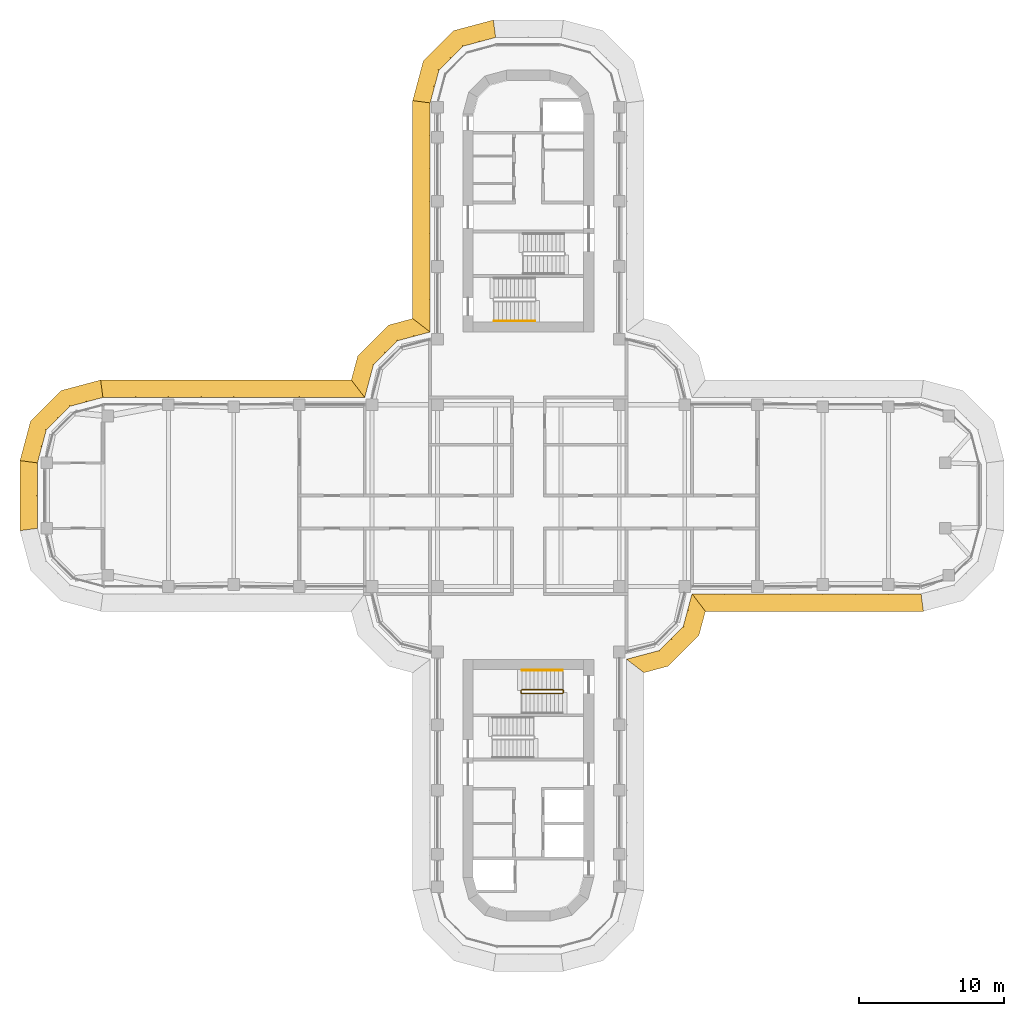
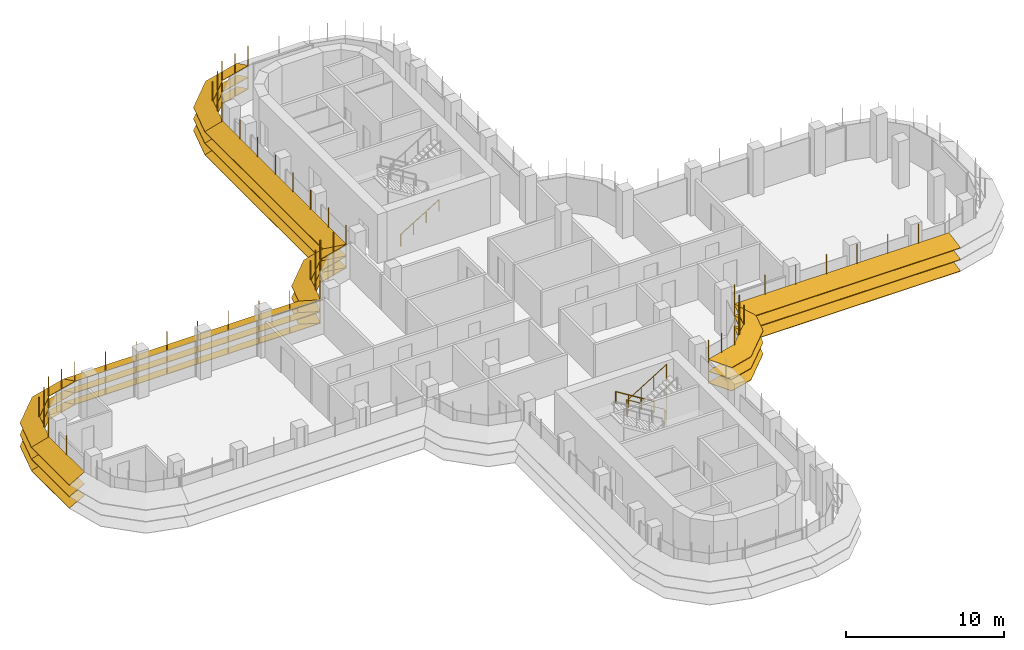
# One storey, part 17 of 19: 8 shading devices, 3 railings.
"""IFC4 building model written with IfcOpenShell, lengths in metres."""

import ifcopenshell
import ifcopenshell.guid

model = None  # the IFC model being written
_history = None  # IfcOwnerHistory: only IFC2X3 demands one
_inside = {}  # id of a spatial element -> (the spatial element, [elements in it])
_under = {}  # id of a project, library or spatial element -> (it, [spatial elements below it])
_declared = {}  # id of a project -> (the project, [libraries it declares])
_typed = {}  # id of a type object -> (the type object, [elements of that type])
_made_of = {}  # id of a material, layer set ... -> (it, [elements and type objects made of it])


def new_model(schema):
    """Start an empty IFC model of exactly this schema.

    Asked for "IFC4X3", IfcOpenShell would pick the latest addendum, in which some entities
    have other attributes; the version numbers below select the first issue.
    IFC2X3 requires an IfcOwnerHistory on every rooted entity: one is made here for all.
    """
    global model, _history
    if schema == "IFC4X3":
        model = ifcopenshell.file(schema_version=(4, 3, 0, 0))
    else:
        model = ifcopenshell.file(schema=schema)
    _inside.clear()
    _under.clear()
    _declared.clear()
    _typed.clear()
    _made_of.clear()
    _history = None
    if model.schema == "IFC2X3":
        org = make("IfcOrganization", Name="unknown")
        user = make(
            "IfcPersonAndOrganization",
            ThePerson=make("IfcPerson", FamilyName="unknown"),
            TheOrganization=org,
        )
        app = make(
            "IfcApplication",
            ApplicationDeveloper=org,
            Version="unknown",
            ApplicationFullName="unknown",
            ApplicationIdentifier="unknown",
        )
        _history = make(
            "IfcOwnerHistory",
            OwningUser=user,
            OwningApplication=app,
            ChangeAction="ADDED",
            CreationDate=0,
        )
    return model


def make(cls, **values):
    """One entity of the class cls with the attributes given. An attribute that is None is left unset."""
    return model.create_entity(
        cls, **{name: value for name, value in values.items() if value is not None}
    )


def rooted(cls, **values):
    """An entity with a GlobalId (a new one), such as an element, a storey or a relation."""
    return make(cls, GlobalId=ifcopenshell.guid.new(), OwnerHistory=_history, **values)


def si_unit(unit_type, name, prefix=None):
    """IfcSIUnit, for example si_unit("LENGTHUNIT", "METRE", prefix="MILLI")."""
    return make("IfcSIUnit", UnitType=unit_type, Prefix=prefix, Name=name)


def assignment(units):
    """IfcUnitAssignment: the units of a project."""
    return None if units is None else make("IfcUnitAssignment", Units=units)


def point(xyz):
    """IfcCartesianPoint."""
    return None if xyz is None else make("IfcCartesianPoint", Coordinates=xyz)


def direction(xyz):
    """IfcDirection."""
    return None if xyz is None else make("IfcDirection", DirectionRatios=xyz)


def frame(location, z_axis=None, x_axis=None):
    """IfcAxis2Placement3D, a coordinate frame: its origin and axes. An axis left out is left unset."""
    return make(
        "IfcAxis2Placement3D",
        Location=point(location),
        Axis=direction(z_axis),
        RefDirection=direction(x_axis),
    )


def frame_2d(location, x_axis=None):
    """IfcAxis2Placement2D, a coordinate frame in the plane: its origin and x axis."""
    return make(
        "IfcAxis2Placement2D", Location=point(location), RefDirection=direction(x_axis)
    )


def origin():
    """The frame at (0, 0, 0) with its axes left unset."""
    return frame((0.0, 0.0, 0.0))


def origin_2d():
    """The frame at (0, 0) in the plane with its x axis left unset."""
    return frame_2d((0.0, 0.0))


def place(relative_to, where):
    """IfcLocalPlacement: puts the frame where relative to a parent placement (None: the world)."""
    return make(
        "IfcLocalPlacement", PlacementRelTo=relative_to, RelativePlacement=where
    )


def context(
    kind, dimensions, precision=None, world=None, true_north=None, identifier=None
):
    """IfcGeometricRepresentationContext, for example the 3D "Model" context."""
    return make(
        "IfcGeometricRepresentationContext",
        ContextIdentifier=identifier,
        ContextType=kind,
        CoordinateSpaceDimension=dimensions,
        Precision=precision,
        WorldCoordinateSystem=world,
        TrueNorth=true_north,
    )


def subcontext(parent, identifier, kind, view, scale=None):
    """IfcGeometricRepresentationSubContext, for example "Body" below "Model"."""
    return make(
        "IfcGeometricRepresentationSubContext",
        ContextIdentifier=identifier,
        ContextType=kind,
        ParentContext=parent,
        TargetScale=scale,
        TargetView=view,
    )


def project(units=None, contexts=None):
    """IfcProject with its units and contexts."""
    return rooted(
        "IfcProject",
        Name="project",
        RepresentationContexts=contexts,
        UnitsInContext=assignment(units),
    )


def spatial(cls, under=None, at=None, **own):
    """A site, building, storey or space (cls), placed at a placement, below another one or the project."""
    s = rooted(cls, ObjectPlacement=at, **own)
    if under is not None:
        _under.setdefault(under.id(), (under, []))[1].append(s)
    return s


def polyline(points):
    """IfcPolyline through the points."""
    return make("IfcPolyline", Points=[point(p) for p in points])


def profile(cls, at=None, kind="AREA", **sizes):
    """A parametric profile (cls). Its sizes go by their IFC names, for example OverallWidth=200.0."""
    return make(cls, ProfileType=kind, Position=at, **sizes)


def circle(**sizes):
    """IfcCircleProfileDef."""
    return profile("IfcCircleProfileDef", **sizes)


def outline(outer, holes=None, kind="AREA"):
    """IfcArbitraryClosedProfileDef: a profile drawn as a closed curve; with holes, ...WithVoids."""
    if holes is None:
        return make("IfcArbitraryClosedProfileDef", ProfileType=kind, OuterCurve=outer)
    return make(
        "IfcArbitraryProfileDefWithVoids",
        ProfileType=kind,
        OuterCurve=outer,
        InnerCurves=holes,
    )


def extrude(swept, where, along, depth):
    """IfcExtrudedAreaSolid: the profile swept, set in the frame where, extruded along a direction by depth."""
    return make(
        "IfcExtrudedAreaSolid",
        SweptArea=swept,
        Position=where,
        ExtrudedDirection=direction(along),
        Depth=depth,
    )


def faces_of(points, faces, orient=None, outer=None):
    """IfcFace entities. A face is a list of loops; a loop is a list of indices into points, from 0.

    orient and outer hold one flag for each loop. By default every Orientation is true, the
    first loop of a face is its IfcFaceOuterBound and the others are IfcFaceBound.
    """
    made = []
    for i, loops in enumerate(faces):
        bounds = []
        for j, loop in enumerate(loops):
            is_outer = j == 0 if outer is None else outer[i][j]
            bounds.append(
                make(
                    "IfcFaceOuterBound" if is_outer else "IfcFaceBound",
                    Bound=make("IfcPolyLoop", Polygon=[points[k] for k in loop]),
                    Orientation=True if orient is None else orient[i][j],
                )
            )
        made.append(make("IfcFace", Bounds=bounds))
    return made


def faceted_brep(points, faces, orient=None, outer=None, voids=None):
    """IfcFacetedBrep: a solid bounded by flat faces; with voids (closed shells), ...WithVoids."""
    shared = [point(p) for p in points]
    hull = make("IfcClosedShell", CfsFaces=faces_of(shared, faces, orient, outer))
    if voids is None:
        return make("IfcFacetedBrep", Outer=hull)
    return make(
        "IfcFacetedBrepWithVoids",
        Outer=hull,
        Voids=[
            make(cls, CfsFaces=faces_of(shared, fs, o, b)) for cls, fs, o, b in voids
        ],
    )


def shape(context_of_items, identifier, shape_type, items):
    """IfcShapeRepresentation: the items that make up one representation, for example the "Body"."""
    return make(
        "IfcShapeRepresentation",
        ContextOfItems=context_of_items,
        RepresentationIdentifier=identifier,
        RepresentationType=shape_type,
        Items=items,
    )


def source(mapping_origin, context_of_items, identifier, shape_type, items):
    """IfcRepresentationMap: a shape defined once, which mapped items show again and again."""
    return make(
        "IfcRepresentationMap",
        MappingOrigin=mapping_origin,
        MappedRepresentation=shape(context_of_items, identifier, shape_type, items),
    )


def transform(
    local_origin,
    x_axis=None,
    y_axis=None,
    z_axis=None,
    scale=None,
    scale2=None,
    scale3=None,
    uniform=True,
):
    """IfcCartesianTransformationOperator3D, or its non-uniform kind. x_axis, y_axis, z_axis: its Axis1, 2, 3."""
    if uniform:
        return make(
            "IfcCartesianTransformationOperator3D",
            Axis1=direction(x_axis),
            Axis2=direction(y_axis),
            LocalOrigin=point(local_origin),
            Scale=scale,
            Axis3=direction(z_axis),
        )
    return make(
        "IfcCartesianTransformationOperator3DnonUniform",
        Axis1=direction(x_axis),
        Axis2=direction(y_axis),
        LocalOrigin=point(local_origin),
        Scale=scale,
        Axis3=direction(z_axis),
        Scale2=scale2,
        Scale3=scale3,
    )


def mapped(mapping_source, mapping_target):
    """IfcMappedItem: shows the shape of a source again, moved by a transform."""
    return make(
        "IfcMappedItem", MappingSource=mapping_source, MappingTarget=mapping_target
    )


def material(Name=None, Category=None):
    """IfcMaterial."""
    return make("IfcMaterial", Name=Name, Category=Category)


def made_of(thing, what):
    """Note that an element or type object is made of a material, layer set ...; save() writes the relation."""
    if what is not None:
        _made_of.setdefault(what.id(), (what, []))[1].append(thing)
    return thing


def type_object(cls, material=None, **own):
    """A type object (cls), such as IfcWallType, which elements share."""
    return made_of(rooted(cls, **own), material)


def element(
    cls,
    number,
    at=None,
    inside=None,
    cuts=None,
    type_object=None,
    material=None,
    context=None,
    identifier="Body",
    shape_type=None,
    held_by="IfcProductDefinitionShape",
    body=None,
    shapes=None,
    **own,
):
    """One element of the class cls, such as IfcWall. Its Tag is "e" and its number.

    at: its placement. inside: the storey or other place that contains it. cuts: it is an
    opening in that element (IfcRelVoidsElement). A single representation is given by context,
    identifier, shape_type and body (its items); several are given by shapes. held_by: the class
    of the entity that holds the representations. save() writes the other relations.
    """
    e = rooted(cls, Tag="e%d" % number, ObjectPlacement=at, **own)
    if body is not None:
        shapes = [shape(context, identifier, shape_type, body)]
    if shapes is not None:
        e.Representation = make(held_by, Representations=shapes)
    if inside is not None:
        _inside.setdefault(inside.id(), (inside, []))[1].append(e)
    if cuts is not None:
        rooted(
            "IfcRelVoidsElement", RelatingBuildingElement=cuts, RelatedOpeningElement=e
        )
    if type_object is not None:
        _typed.setdefault(type_object.id(), (type_object, []))[1].append(e)
    return made_of(e, material)


def aggregate(whole, parts):
    """IfcRelAggregates: a whole, such as a stair, and the parts it consists of."""
    return rooted("IfcRelAggregates", RelatingObject=whole, RelatedObjects=parts)


def save(model, path):
    """Write the relations noted so far, then the file.

    IfcRelAggregates (storeys below a building ...), IfcRelContainedInSpatialStructure (elements
    in a storey), IfcRelDefinesByType, IfcRelAssociatesMaterial and IfcRelDeclares: one each for
    every whole, place, type object, material and project.
    """
    for whole, parts in _under.values():
        aggregate(whole, parts)
    for where, things in _inside.values():
        rooted(
            "IfcRelContainedInSpatialStructure",
            RelatedElements=things,
            RelatingStructure=where,
        )
    for kind, things in _typed.values():
        rooted("IfcRelDefinesByType", RelatedObjects=things, RelatingType=kind)
    for what, things in _made_of.values():
        rooted("IfcRelAssociatesMaterial", RelatedObjects=things, RelatingMaterial=what)
    for by, libraries in _declared.values():
        rooted("IfcRelDeclares", RelatingContext=by, RelatedDefinitions=libraries)
    model.write(path)


model = new_model("IFC4")

# Units and contexts
model_context = context("Model", 3, precision=1e-05, world=origin(), true_north=direction((0.0, 1.0)))
body_context = subcontext(model_context, "Body", "Model", "MODEL_VIEW")
ifc_project = project(units=[si_unit("LENGTHUNIT", "METRE"), si_unit("AREAUNIT", "SQUARE_METRE"), si_unit("VOLUMEUNIT", "CUBIC_METRE"), si_unit("PLANEANGLEUNIT", "RADIAN"), si_unit("MASSUNIT", "GRAM", prefix="KILO")], contexts=[model_context])

# Site, building, storey
site_placement = place(None, origin())
site = spatial("IfcSite", under=ifc_project, at=site_placement, CompositionType="ELEMENT")
building_placement = place(site_placement, origin())
building = spatial("IfcBuilding", under=site, at=building_placement, Name="Zarbagh Exchange Tower", CompositionType="ELEMENT")
storey_placement = place(building_placement, frame((0.0, 0.0, 160.0)))
storey = spatial("IfcBuildingStorey", under=building, at=storey_placement, Name="L38", CompositionType="ELEMENT", Elevation=160.0)

# Railings
ifc_material_1 = material(Name="Stainless steel", Category="steel")
railing_type_1 = type_object("IfcRailingType", Name="Stair guard 1100 mm", PredefinedType="GUARDRAIL", material=ifc_material_1)
railing_1_placement = place(storey_placement, frame((-0.5, -13.39990234375, 1.89990234375)))
element("IfcRailing", 1, at=railing_1_placement, inside=storey, type_object=railing_type_1, Name="ST4 stair guard 1", PredefinedType="GUARDRAIL", context=body_context, shape_type="SweptSolid", body=[
    extrude(circle(Radius=0.02392578125, at=origin_2d()), frame((0.0, 0.0, 1.076171875), z_axis=(0.0, -1.0, 0.0), x_axis=(1.0, 0.0, 0.0)), (0.0, 0.0, 1.0), 0.150146484375),
    extrude(circle(Radius=0.02392578125, at=origin_2d()), frame((0.0, -0.150146484375, 1.076171875), z_axis=(0.267953482034, -0.267953482034, 0.925419830635), x_axis=(0.707106781187, 0.707106781187, 0.0)), (0.0, 0.0, 1.0), 0.186767578125),
    extrude(circle(Radius=0.02392578125, at=origin_2d()), frame((0.050048828125, -0.2001953125, 1.2490234375), z_axis=(0.851089632645, 0.0, 0.525020415988), x_axis=(0.0, 1.0, 0.0)), (0.0, 0.0, 1.0), 3.2900390625),
    extrude(circle(Radius=0.02392578125, at=origin_2d()), frame((2.85009765625, -0.2001953125, 2.97607421875), z_axis=(0.013104066473, 0.013168302093, -0.99982742474), x_axis=(-0.708833529934, 0.705375805398, 0.0)), (0.0, 0.0, 1.0), 3.80078125),
    extrude(circle(Radius=0.02392578125, at=origin_2d()), frame((2.89990234375, -0.150146484375, -0.82373046875), z_axis=(0.0, 1.0, 0.0), x_axis=(-1.0, 0.0, 0.0)), (0.0, 0.0, 1.0), 0.150146484375),
    extrude(circle(Radius=0.02392578125, at=origin_2d()), frame((2.89990234375, 0.0, -0.82373046875), z_axis=(-0.26715648603, 0.26715648603, 0.925880566782), x_axis=(-0.707106781187, -0.707106781187, 0.0)), (0.0, 0.0, 1.0), 0.1865234375),
    extrude(circle(Radius=0.02392578125, at=origin_2d()), frame((2.85009765625, 0.0498046875, -0.6513671875), z_axis=(-0.851089632645, 0.0, 0.525020415988), x_axis=(0.0, -1.0, 0.0)), (0.0, 0.0, 1.0), 3.2900390625),
    extrude(circle(Radius=0.02099609375, at=origin_2d()), origin(), (0.0, 0.0, 1.0), 1.052001953125),
    extrude(circle(Radius=0.02099609375, at=origin_2d()), frame((0.0, -0.150146484375, 0.0)), (0.0, 0.0, 1.0), 1.052001953125),
    extrude(circle(Radius=0.02099609375, at=origin_2d()), frame((0.050048828125, -0.2001953125, 0.1728515625)), (0.0, 0.0, 1.0), 1.052001953125),
    extrude(circle(Radius=0.02099609375, at=origin_2d()), frame((0.9833984375, -0.2001953125, 0.74853515625)), (0.0, 0.0, 1.0), 1.052001953125),
    extrude(circle(Radius=0.02099609375, at=origin_2d()), frame((1.916748046875, -0.2001953125, 1.324462890625)), (0.0, 0.0, 1.0), 1.052001953125),
    extrude(circle(Radius=0.02099609375, at=origin_2d()), frame((2.85009765625, -0.2001953125, 1.900146484375)), (0.0, 0.0, 1.0), 1.052001953125),
    extrude(circle(Radius=0.02099609375, at=origin_2d()), frame((2.862548828125, -0.187744140625, 0.9501953125)), (0.0, 0.0, 1.0), 1.052001953125),
    extrude(circle(Radius=0.02099609375, at=origin_2d()), frame((2.875, -0.17529296875, 0.0)), (0.0, 0.0, 1.0), 1.052001953125),
    extrude(circle(Radius=0.02099609375, at=origin_2d()), frame((2.887451171875, -0.16259765625, -0.949951171875)), (0.0, 0.0, 1.0), 1.052001953125),
    extrude(circle(Radius=0.02099609375, at=origin_2d()), frame((2.89990234375, -0.150146484375, -1.89990234375)), (0.0, 0.0, 1.0), 1.052001953125),
    extrude(circle(Radius=0.02099609375, at=origin_2d()), frame((2.89990234375, 0.0, -1.89990234375)), (0.0, 0.0, 1.0), 1.052001953125),
    extrude(circle(Radius=0.02099609375, at=origin_2d()), frame((2.85009765625, 0.0498046875, -1.727294921875)), (0.0, 0.0, 1.0), 1.052001953125),
    extrude(circle(Radius=0.02099609375, at=origin_2d()), frame((1.916748046875, 0.0498046875, -1.151611328125)), (0.0, 0.0, 1.0), 1.052001953125),
    extrude(circle(Radius=0.02099609375, at=origin_2d()), frame((0.9833984375, 0.0498046875, -0.57568359375)), (0.0, 0.0, 1.0), 1.052001953125),
    extrude(circle(Radius=0.02099609375, at=origin_2d()), frame((0.050048828125, 0.0498046875, 0.0)), (0.0, 0.0, 1.0), 1.052001953125),
])
railing_type_2 = type_object("IfcRailingType", Name="Stair handrail 900 mm", PredefinedType="HANDRAIL", material=ifc_material_1)
railing_2_placement = place(storey_placement, frame((-2.35009765625, 12.0, 0.172607421875)))
element("IfcRailing", 2, at=railing_2_placement, inside=storey, type_object=railing_type_2, Name="ST2 stair handrail 1", PredefinedType="HANDRAIL", context=body_context, shape_type="SweptSolid", body=[
    extrude(circle(Radius=0.02392578125, at=origin_2d()), frame((0.0, 0.0, 0.8759765625), z_axis=(0.851089632645, 0.0, 0.525020415988), x_axis=(0.0, 1.0, 0.0)), (0.0, 0.0, 1.0), 3.2900390625),
    extrude(circle(Radius=0.02099609375, at=origin_2d()), origin(), (0.0, 0.0, 1.0), 0.851806640625),
    extrude(circle(Radius=0.02099609375, at=origin_2d()), frame((0.933349609375, 0.0, 0.57568359375)), (0.0, 0.0, 1.0), 0.851806640625),
    extrude(circle(Radius=0.02099609375, at=origin_2d()), frame((1.86669921875, 0.0, 1.151611328125)), (0.0, 0.0, 1.0), 0.851806640625),
    extrude(circle(Radius=0.02099609375, at=origin_2d()), frame((2.800048828125, 0.0, 1.727294921875)), (0.0, 0.0, 1.0), 0.851806640625),
])
railing_3_placement = place(storey_placement, frame((2.35009765625, -12.0, 0.172607421875)))
element("IfcRailing", 3, at=railing_3_placement, inside=storey, type_object=railing_type_2, Name="ST4 stair handrail 1", PredefinedType="HANDRAIL", context=body_context, shape_type="SweptSolid", body=[
    extrude(circle(Radius=0.02392578125, at=origin_2d()), frame((0.0, 0.0, 0.8759765625), z_axis=(-0.851089632645, 0.0, 0.525020415988), x_axis=(0.0, -1.0, 0.0)), (0.0, 0.0, 1.0), 3.2900390625),
    extrude(circle(Radius=0.02099609375, at=origin_2d()), origin(), (0.0, 0.0, 1.0), 0.851806640625),
    extrude(circle(Radius=0.02099609375, at=origin_2d()), frame((-0.933349609375, 0.0, 0.57568359375)), (0.0, 0.0, 1.0), 0.851806640625),
    extrude(circle(Radius=0.02099609375, at=origin_2d()), frame((-1.86669921875, 0.0, 1.151611328125)), (0.0, 0.0, 1.0), 0.851806640625),
    extrude(circle(Radius=0.02099609375, at=origin_2d()), frame((-2.800048828125, 0.0, 1.727294921875)), (0.0, 0.0, 1.0), 0.851806640625),
])

# Shading devices
ifc_material_2 = material(Name="Anodised aluminium blades and brackets", Category="aluminium")
shading_device_type = type_object("IfcShadingDeviceType", Name="SUNSHADE louvre band, 22.5 degree blades", PredefinedType="JALOUSIE", material=ifc_material_2)
shared_shape_1 = source(origin(), body_context, "Body", "Brep", [
    faceted_brep([(0.0, 0.0, 0.0), (0.0, 0.0, -0.043212890625), (-0.157958984375, -1.199951171875, -0.540283203125), (-0.157958984375, -1.199951171875, -0.4970703125), (2.65087890625, -1.199951171875, -0.4970703125), (2.65087890625, -1.199951171875, -0.540283203125), (2.329345703125, 0.0, -0.043212890625), (2.329345703125, 0.0, 0.0)], [[[0, 1, 2, 3]], [[4, 5, 6, 7]], [[0, 7, 6, 1]], [[1, 6, 5, 2]], [[2, 5, 4, 3]], [[3, 4, 7, 0]]]),
])
shared_shape_2 = source(origin(), body_context, "Body", "Brep", [
    faceted_brep([(0.0, 0.0, 0.0), (0.0, 0.0, -0.043212890625), (-0.321533203125, -1.199951171875, -0.540283203125), (-0.321533203125, -1.199951171875, -0.4970703125), (2.65087890625, -1.199951171875, -0.4970703125), (2.65087890625, -1.199951171875, -0.540283203125), (2.329345703125, 0.0, -0.043212890625), (2.329345703125, 0.0, 0.0)], [[[0, 1, 2, 3]], [[4, 5, 6, 7]], [[0, 7, 6, 1]], [[1, 6, 5, 2]], [[2, 5, 4, 3]], [[3, 4, 7, 0]]]),
])
shared_shape_3 = source(origin(), body_context, "Body", "Brep", [
    faceted_brep([(0.0, 0.0, 0.0), (0.0, 0.0, -0.043212890625), (-0.321533203125, -1.199951171875, -0.540283203125), (-0.321533203125, -1.199951171875, -0.4970703125), (2.4873046875, -1.199951171875, -0.4970703125), (2.4873046875, -1.199951171875, -0.540283203125), (2.329345703125, 0.0, -0.043212890625), (2.329345703125, 0.0, 0.0)], [[[0, 1, 2, 3]], [[4, 5, 6, 7]], [[0, 7, 6, 1]], [[1, 6, 5, 2]], [[2, 5, 4, 3]], [[3, 4, 7, 0]]]),
])
shared_shape_4 = source(origin(), body_context, "Body", "SweptSolid", [
    extrude(outline(polyline([(0.0, -0.012451171875), (0.06005859375, -0.012451171875), (0.06005859375, 0.012451171875), (0.0, 0.012451171875), (0.0, -0.012451171875)])), origin(), (0.0, 0.0, 1.0), 3.353271484375),
])
placement = place(storey_placement, origin())
element("IfcShadingDevice", 4, at=placement, inside=storey, type_object=shading_device_type, Name="SS28 sunshade band", PredefinedType="JALOUSIE", context=body_context, shape_type="MappedRepresentation", body=[
    mapped(shared_shape_1, transform((-2.25, 31.5, 2.300048828125), x_axis=(-0.965924289636, -0.258824779902, 0.0), y_axis=(0.258824779902, -0.965924289636, 0.0), z_axis=(0.0, 0.0, 1.0))),
    mapped(shared_shape_1, transform((-2.25, 31.5, 1.39990234375), x_axis=(-0.965924289636, -0.258824779902, 0.0), y_axis=(0.258824779902, -0.965924289636, 0.0), z_axis=(0.0, 0.0, 1.0))),
    mapped(shared_shape_1, transform((-2.25, 31.5, 0.5), x_axis=(-0.965924289636, -0.258824779902, 0.0), y_axis=(0.258824779902, -0.965924289636, 0.0), z_axis=(0.0, 0.0, 1.0))),
    mapped(shared_shape_2, transform((-4.5, 30.897216796875, 2.300048828125), x_axis=(-0.707106781187, -0.707106781187, 0.0), y_axis=(0.707106781187, -0.707106781187, 0.0), z_axis=(0.0, 0.0, 1.0))),
    mapped(shared_shape_2, transform((-4.5, 30.897216796875, 1.39990234375), x_axis=(-0.707106781187, -0.707106781187, 0.0), y_axis=(0.707106781187, -0.707106781187, 0.0), z_axis=(0.0, 0.0, 1.0))),
    mapped(shared_shape_2, transform((-4.5, 30.897216796875, 0.5), x_axis=(-0.707106781187, -0.707106781187, 0.0), y_axis=(0.707106781187, -0.707106781187, 0.0), z_axis=(0.0, 0.0, 1.0))),
    mapped(shared_shape_3, transform((-6.147216796875, 29.25, 2.300048828125), x_axis=(-0.258824779902, -0.965924289636, 0.0), y_axis=(0.965924289636, -0.258824779902, 0.0), z_axis=(0.0, 0.0, 1.0))),
    mapped(shared_shape_3, transform((-6.147216796875, 29.25, 1.39990234375), x_axis=(-0.258824779902, -0.965924289636, 0.0), y_axis=(0.965924289636, -0.258824779902, 0.0), z_axis=(0.0, 0.0, 1.0))),
    mapped(shared_shape_3, transform((-6.147216796875, 29.25, 0.5), x_axis=(-0.258824779902, -0.965924289636, 0.0), y_axis=(0.965924289636, -0.258824779902, 0.0), z_axis=(0.0, 0.0, 1.0))),
    mapped(shared_shape_4, transform((-2.25, 31.5, 0.4267578125), x_axis=(-0.130529263012, 0.991444457092, 0.0), y_axis=(-0.991444457092, -0.130529263012, 0.0), z_axis=(0.0, 0.0, 1.0))),
    mapped(shared_shape_4, transform((-3.375, 31.198486328125, 0.4267578125), x_axis=(-0.258825058029, 0.96592421511, 0.0), y_axis=(-0.96592421511, -0.258825058029, 0.0), z_axis=(0.0, 0.0, 1.0))),
    mapped(shared_shape_4, transform((-4.5, 30.897216796875, 0.4267578125), x_axis=(-0.50000275701, 0.866023812018, 0.0), y_axis=(-0.866023812018, -0.50000275701, 0.0), z_axis=(0.0, 0.0, 1.0))),
    mapped(shared_shape_4, transform((-5.323486328125, 30.073486328125, 0.4267578125), x_axis=(-0.707106781187, 0.707106781187, 0.0), y_axis=(-0.707106781187, -0.707106781187, 0.0), z_axis=(0.0, 0.0, 1.0))),
    mapped(shared_shape_4, transform((-6.147216796875, 29.25, 0.4267578125), x_axis=(-0.866023812018, 0.50000275701, 0.0), y_axis=(-0.50000275701, -0.866023812018, 0.0), z_axis=(0.0, 0.0, 1.0))),
    mapped(shared_shape_4, transform((-6.448486328125, 28.125, 0.4267578125), x_axis=(-0.96592421511, 0.258825058029, 0.0), y_axis=(-0.258825058029, -0.96592421511, 0.0), z_axis=(0.0, 0.0, 1.0))),
])
element("IfcShadingDevice", 5, at=placement, inside=storey, type_object=shading_device_type, Name="SS17 sunshade band", PredefinedType="JALOUSIE", context=body_context, shape_type="MappedRepresentation", body=[
    mapped(shared_shape_1, transform((-29.25, 6.75, 2.300048828125), x_axis=(-0.965924289636, -0.258824779902, 0.0), y_axis=(0.258824779902, -0.965924289636, 0.0), z_axis=(0.0, 0.0, 1.0))),
    mapped(shared_shape_1, transform((-29.25, 6.75, 1.39990234375), x_axis=(-0.965924289636, -0.258824779902, 0.0), y_axis=(0.258824779902, -0.965924289636, 0.0), z_axis=(0.0, 0.0, 1.0))),
    mapped(shared_shape_1, transform((-29.25, 6.75, 0.5), x_axis=(-0.965924289636, -0.258824779902, 0.0), y_axis=(0.258824779902, -0.965924289636, 0.0), z_axis=(0.0, 0.0, 1.0))),
    mapped(shared_shape_2, transform((-31.5, 6.147216796875, 2.300048828125), x_axis=(-0.707106781187, -0.707106781187, 0.0), y_axis=(0.707106781187, -0.707106781187, 0.0), z_axis=(0.0, 0.0, 1.0))),
    mapped(shared_shape_2, transform((-31.5, 6.147216796875, 1.39990234375), x_axis=(-0.707106781187, -0.707106781187, 0.0), y_axis=(0.707106781187, -0.707106781187, 0.0), z_axis=(0.0, 0.0, 1.0))),
    mapped(shared_shape_2, transform((-31.5, 6.147216796875, 0.5), x_axis=(-0.707106781187, -0.707106781187, 0.0), y_axis=(0.707106781187, -0.707106781187, 0.0), z_axis=(0.0, 0.0, 1.0))),
    mapped(shared_shape_3, transform((-33.147216796875, 4.5, 2.300048828125), x_axis=(-0.258824779902, -0.965924289636, 0.0), y_axis=(0.965924289636, -0.258824779902, 0.0), z_axis=(0.0, 0.0, 1.0))),
    mapped(shared_shape_3, transform((-33.147216796875, 4.5, 1.39990234375), x_axis=(-0.258824779902, -0.965924289636, 0.0), y_axis=(0.965924289636, -0.258824779902, 0.0), z_axis=(0.0, 0.0, 1.0))),
    mapped(shared_shape_3, transform((-33.147216796875, 4.5, 0.5), x_axis=(-0.258824779902, -0.965924289636, 0.0), y_axis=(0.965924289636, -0.258824779902, 0.0), z_axis=(0.0, 0.0, 1.0))),
    mapped(shared_shape_4, transform((-29.25, 6.75, 0.4267578125), x_axis=(-0.130529263012, 0.991444457092, 0.0), y_axis=(-0.991444457092, -0.130529263012, 0.0), z_axis=(0.0, 0.0, 1.0))),
    mapped(shared_shape_4, transform((-30.375, 6.448486328125, 0.4267578125), x_axis=(-0.258825058029, 0.96592421511, 0.0), y_axis=(-0.96592421511, -0.258825058029, 0.0), z_axis=(0.0, 0.0, 1.0))),
    mapped(shared_shape_4, transform((-31.5, 6.147216796875, 0.4267578125), x_axis=(-0.50000275701, 0.866023812018, 0.0), y_axis=(-0.866023812018, -0.50000275701, 0.0), z_axis=(0.0, 0.0, 1.0))),
    mapped(shared_shape_4, transform((-32.323486328125, 5.323486328125, 0.4267578125), x_axis=(-0.707106781187, 0.707106781187, 0.0), y_axis=(-0.707106781187, -0.707106781187, 0.0), z_axis=(0.0, 0.0, 1.0))),
    mapped(shared_shape_4, transform((-33.147216796875, 4.5, 0.4267578125), x_axis=(-0.866023812018, 0.50000275701, 0.0), y_axis=(-0.50000275701, -0.866023812018, 0.0), z_axis=(0.0, 0.0, 1.0))),
    mapped(shared_shape_4, transform((-33.448486328125, 3.375, 0.4267578125), x_axis=(-0.96592421511, 0.258825058029, 0.0), y_axis=(-0.258825058029, -0.96592421511, 0.0), z_axis=(0.0, 0.0, 1.0))),
])
shared_shape_5 = source(origin(), body_context, "Body", "Brep", [
    faceted_brep([(0.0, 0.0, 0.0), (0.0, 0.0, -0.043212890625), (0.9208984375, -1.199951171875, -0.540283203125), (0.9208984375, -1.199951171875, -0.4970703125), (2.65087890625, -1.199951171875, -0.4970703125), (2.65087890625, -1.199951171875, -0.540283203125), (2.329345703125, 0.0, -0.043212890625), (2.329345703125, 0.0, 0.0)], [[[0, 1, 2, 3]], [[4, 5, 6, 7]], [[0, 7, 6, 1]], [[1, 6, 5, 2]], [[2, 5, 4, 3]], [[3, 4, 7, 0]]]),
])
shared_shape_6 = source(origin(), body_context, "Body", "Brep", [
    faceted_brep([(0.0, 0.0, 0.0), (0.0, 0.0, -0.043212890625), (-0.321533203125, -1.199951171875, -0.540283203125), (-0.321533203125, -1.199951171875, -0.4970703125), (1.40869140625, -1.199951171875, -0.4970703125), (1.40869140625, -1.199951171875, -0.540283203125), (2.329345703125, 0.0, -0.043212890625), (2.329345703125, 0.0, 0.0)], [[[0, 1, 2, 3]], [[4, 5, 6, 7]], [[0, 7, 6, 1]], [[1, 6, 5, 2]], [[2, 5, 4, 3]], [[3, 4, 7, 0]]]),
])
element("IfcShadingDevice", 6, at=placement, inside=storey, type_object=shading_device_type, Name="SS03 sunshade band", PredefinedType="JALOUSIE", context=body_context, shape_type="MappedRepresentation", body=[
    mapped(shared_shape_5, transform((6.75, -11.25, 2.300048828125), x_axis=(0.965924289636, 0.258824779902, 0.0), y_axis=(-0.258824779902, 0.965924289636, 0.0), z_axis=(0.0, 0.0, 1.0))),
    mapped(shared_shape_5, transform((6.75, -11.25, 1.39990234375), x_axis=(0.965924289636, 0.258824779902, 0.0), y_axis=(-0.258824779902, 0.965924289636, 0.0), z_axis=(0.0, 0.0, 1.0))),
    mapped(shared_shape_5, transform((6.75, -11.25, 0.5), x_axis=(0.965924289636, 0.258824779902, 0.0), y_axis=(-0.258824779902, 0.965924289636, 0.0), z_axis=(0.0, 0.0, 1.0))),
    mapped(shared_shape_2, transform((9.0, -10.647216796875, 2.300048828125), x_axis=(0.707106781187, 0.707106781187, 0.0), y_axis=(-0.707106781187, 0.707106781187, 0.0), z_axis=(0.0, 0.0, 1.0))),
    mapped(shared_shape_2, transform((9.0, -10.647216796875, 1.39990234375), x_axis=(0.707106781187, 0.707106781187, 0.0), y_axis=(-0.707106781187, 0.707106781187, 0.0), z_axis=(0.0, 0.0, 1.0))),
    mapped(shared_shape_2, transform((9.0, -10.647216796875, 0.5), x_axis=(0.707106781187, 0.707106781187, 0.0), y_axis=(-0.707106781187, 0.707106781187, 0.0), z_axis=(0.0, 0.0, 1.0))),
    mapped(shared_shape_6, transform((10.647216796875, -9.0, 2.300048828125), x_axis=(0.258824779902, 0.965924289636, 0.0), y_axis=(-0.965924289636, 0.258824779902, 0.0), z_axis=(0.0, 0.0, 1.0))),
    mapped(shared_shape_6, transform((10.647216796875, -9.0, 1.39990234375), x_axis=(0.258824779902, 0.965924289636, 0.0), y_axis=(-0.965924289636, 0.258824779902, 0.0), z_axis=(0.0, 0.0, 1.0))),
    mapped(shared_shape_6, transform((10.647216796875, -9.0, 0.5), x_axis=(0.258824779902, 0.965924289636, 0.0), y_axis=(-0.965924289636, 0.258824779902, 0.0), z_axis=(0.0, 0.0, 1.0))),
    mapped(shared_shape_4, transform((6.75, -11.25, 0.4267578125), x_axis=(0.793355287, -0.608758892, 0.0), y_axis=(0.608758892, 0.793355287, 0.0), z_axis=(0.0, 0.0, 1.0))),
    mapped(shared_shape_4, transform((7.875, -10.948486328125, 0.4267578125), x_axis=(0.258825058029, -0.96592421511, 0.0), y_axis=(0.96592421511, 0.258825058029, 0.0), z_axis=(0.0, 0.0, 1.0))),
    mapped(shared_shape_4, transform((9.0, -10.647216796875, 0.4267578125), x_axis=(0.50000275701, -0.866023812018, 0.0), y_axis=(0.866023812018, 0.50000275701, 0.0), z_axis=(0.0, 0.0, 1.0))),
    mapped(shared_shape_4, transform((9.823486328125, -9.823486328125, 0.4267578125), x_axis=(0.707106781187, -0.707106781187, 0.0), y_axis=(0.707106781187, 0.707106781187, 0.0), z_axis=(0.0, 0.0, 1.0))),
    mapped(shared_shape_4, transform((10.647216796875, -9.0, 0.4267578125), x_axis=(0.866023812018, -0.50000275701, 0.0), y_axis=(0.50000275701, 0.866023812018, 0.0), z_axis=(0.0, 0.0, 1.0))),
    mapped(shared_shape_4, transform((10.948486328125, -7.875, 0.4267578125), x_axis=(0.96592421511, -0.258825058029, 0.0), y_axis=(0.258825058029, 0.96592421511, 0.0), z_axis=(0.0, 0.0, 1.0))),
])
element("IfcShadingDevice", 7, at=placement, inside=storey, type_object=shading_device_type, Name="SS15 sunshade band", PredefinedType="JALOUSIE", context=body_context, shape_type="MappedRepresentation", body=[
    mapped(shared_shape_5, transform((-6.75, 11.25, 2.300048828125), x_axis=(-0.965924289636, -0.258824779902, 0.0), y_axis=(0.258824779902, -0.965924289636, 0.0), z_axis=(0.0, 0.0, 1.0))),
    mapped(shared_shape_5, transform((-6.75, 11.25, 1.39990234375), x_axis=(-0.965924289636, -0.258824779902, 0.0), y_axis=(0.258824779902, -0.965924289636, 0.0), z_axis=(0.0, 0.0, 1.0))),
    mapped(shared_shape_5, transform((-6.75, 11.25, 0.5), x_axis=(-0.965924289636, -0.258824779902, 0.0), y_axis=(0.258824779902, -0.965924289636, 0.0), z_axis=(0.0, 0.0, 1.0))),
    mapped(shared_shape_2, transform((-9.0, 10.647216796875, 2.300048828125), x_axis=(-0.707106781187, -0.707106781187, 0.0), y_axis=(0.707106781187, -0.707106781187, 0.0), z_axis=(0.0, 0.0, 1.0))),
    mapped(shared_shape_2, transform((-9.0, 10.647216796875, 1.39990234375), x_axis=(-0.707106781187, -0.707106781187, 0.0), y_axis=(0.707106781187, -0.707106781187, 0.0), z_axis=(0.0, 0.0, 1.0))),
    mapped(shared_shape_2, transform((-9.0, 10.647216796875, 0.5), x_axis=(-0.707106781187, -0.707106781187, 0.0), y_axis=(0.707106781187, -0.707106781187, 0.0), z_axis=(0.0, 0.0, 1.0))),
    mapped(shared_shape_6, transform((-10.647216796875, 9.0, 2.300048828125), x_axis=(-0.258824779902, -0.965924289636, 0.0), y_axis=(0.965924289636, -0.258824779902, 0.0), z_axis=(0.0, 0.0, 1.0))),
    mapped(shared_shape_6, transform((-10.647216796875, 9.0, 1.39990234375), x_axis=(-0.258824779902, -0.965924289636, 0.0), y_axis=(0.965924289636, -0.258824779902, 0.0), z_axis=(0.0, 0.0, 1.0))),
    mapped(shared_shape_6, transform((-10.647216796875, 9.0, 0.5), x_axis=(-0.258824779902, -0.965924289636, 0.0), y_axis=(0.965924289636, -0.258824779902, 0.0), z_axis=(0.0, 0.0, 1.0))),
    mapped(shared_shape_4, transform((-6.75, 11.25, 0.4267578125), x_axis=(-0.793355287, 0.608758892, 0.0), y_axis=(-0.608758892, -0.793355287, 0.0), z_axis=(0.0, 0.0, 1.0))),
    mapped(shared_shape_4, transform((-7.875, 10.948486328125, 0.4267578125), x_axis=(-0.258825058029, 0.96592421511, 0.0), y_axis=(-0.96592421511, -0.258825058029, 0.0), z_axis=(0.0, 0.0, 1.0))),
    mapped(shared_shape_4, transform((-9.0, 10.647216796875, 0.4267578125), x_axis=(-0.50000275701, 0.866023812018, 0.0), y_axis=(-0.866023812018, -0.50000275701, 0.0), z_axis=(0.0, 0.0, 1.0))),
    mapped(shared_shape_4, transform((-9.823486328125, 9.823486328125, 0.4267578125), x_axis=(-0.707106781187, 0.707106781187, 0.0), y_axis=(-0.707106781187, -0.707106781187, 0.0), z_axis=(0.0, 0.0, 1.0))),
    mapped(shared_shape_4, transform((-10.647216796875, 9.0, 0.4267578125), x_axis=(-0.866023812018, 0.50000275701, 0.0), y_axis=(-0.50000275701, -0.866023812018, 0.0), z_axis=(0.0, 0.0, 1.0))),
    mapped(shared_shape_4, transform((-10.948486328125, 7.875, 0.4267578125), x_axis=(-0.96592421511, 0.258825058029, 0.0), y_axis=(-0.258825058029, -0.96592421511, 0.0), z_axis=(0.0, 0.0, 1.0))),
])
shared_shape_7 = source(origin(), body_context, "Body", "Brep", [
    faceted_brep([(0.0, 0.0, 0.0), (0.0, 0.0, -0.043212890625), (0.9208984375, -1.199951171875, -0.540283203125), (0.9208984375, -1.199951171875, -0.4970703125), (15.907958984375, -1.199951171875, -0.4970703125), (15.907958984375, -1.199951171875, -0.540283203125), (15.75, 0.0, -0.043212890625), (15.75, 0.0, 0.0)], [[[0, 1, 2, 3]], [[4, 5, 6, 7]], [[0, 7, 6, 1]], [[1, 6, 5, 2]], [[2, 5, 4, 3]], [[3, 4, 7, 0]]]),
])
element("IfcShadingDevice", 8, at=placement, inside=storey, type_object=shading_device_type, Name="SS30 sunshade band", PredefinedType="JALOUSIE", context=body_context, shape_type="MappedRepresentation", body=[
    mapped(shared_shape_7, transform((11.25, -6.75, 2.300048828125), x_axis=(1.0, 0.0, 0.0), y_axis=(0.0, 1.0, 0.0), z_axis=(0.0, 0.0, 1.0))),
    mapped(shared_shape_7, transform((11.25, -6.75, 1.39990234375), x_axis=(1.0, 0.0, 0.0), y_axis=(0.0, 1.0, 0.0), z_axis=(0.0, 0.0, 1.0))),
    mapped(shared_shape_7, transform((11.25, -6.75, 0.5), x_axis=(1.0, 0.0, 0.0), y_axis=(0.0, 1.0, 0.0), z_axis=(0.0, 0.0, 1.0))),
    mapped(shared_shape_4, transform((11.25, -6.75, 0.4267578125), x_axis=(0.608758892, -0.793355287, 0.0), y_axis=(0.793355287, 0.608758892, 0.0), z_axis=(0.0, 0.0, 1.0))),
    mapped(shared_shape_4, transform((13.5, -6.75, 0.4267578125), x_axis=(0.0, -1.0, 0.0), y_axis=(1.0, 0.0, 0.0), z_axis=(0.0, 0.0, 1.0))),
    mapped(shared_shape_4, transform((15.75, -6.75, 0.4267578125), x_axis=(0.0, -1.0, 0.0), y_axis=(1.0, 0.0, 0.0), z_axis=(0.0, 0.0, 1.0))),
    mapped(shared_shape_4, transform((18.0, -6.75, 0.4267578125), x_axis=(0.0, -1.0, 0.0), y_axis=(1.0, 0.0, 0.0), z_axis=(0.0, 0.0, 1.0))),
    mapped(shared_shape_4, transform((20.25, -6.75, 0.4267578125), x_axis=(0.0, -1.0, 0.0), y_axis=(1.0, 0.0, 0.0), z_axis=(0.0, 0.0, 1.0))),
    mapped(shared_shape_4, transform((22.5, -6.75, 0.4267578125), x_axis=(0.0, -1.0, 0.0), y_axis=(1.0, 0.0, 0.0), z_axis=(0.0, 0.0, 1.0))),
    mapped(shared_shape_4, transform((24.75, -6.75, 0.4267578125), x_axis=(0.0, -1.0, 0.0), y_axis=(1.0, 0.0, 0.0), z_axis=(0.0, 0.0, 1.0))),
])
shared_shape_8 = source(origin(), body_context, "Body", "Brep", [
    faceted_brep([(0.0, 0.0, 0.0), (0.0, 0.0, -0.043212890625), (-0.157958984375, -1.199951171875, -0.540283203125), (-0.157958984375, -1.199951171875, -0.4970703125), (14.8291015625, -1.199951171875, -0.4970703125), (14.8291015625, -1.199951171875, -0.540283203125), (15.75, 0.0, -0.043212890625), (15.75, 0.0, 0.0)], [[[0, 1, 2, 3]], [[4, 5, 6, 7]], [[0, 7, 6, 1]], [[1, 6, 5, 2]], [[2, 5, 4, 3]], [[3, 4, 7, 0]]]),
])
element("IfcShadingDevice", 9, at=placement, inside=storey, type_object=shading_device_type, Name="SS29 sunshade band", PredefinedType="JALOUSIE", context=body_context, shape_type="MappedRepresentation", body=[
    mapped(shared_shape_8, transform((-6.75, 27.0, 2.300048828125), x_axis=(0.0, -1.0, 0.0), y_axis=(1.0, 0.0, 0.0), z_axis=(0.0, 0.0, 1.0))),
    mapped(shared_shape_8, transform((-6.75, 27.0, 1.39990234375), x_axis=(0.0, -1.0, 0.0), y_axis=(1.0, 0.0, 0.0), z_axis=(0.0, 0.0, 1.0))),
    mapped(shared_shape_8, transform((-6.75, 27.0, 0.5), x_axis=(0.0, -1.0, 0.0), y_axis=(1.0, 0.0, 0.0), z_axis=(0.0, 0.0, 1.0))),
    mapped(shared_shape_4, transform((-6.75, 27.0, 0.4267578125), x_axis=(-0.991444457092, 0.130529263012, 0.0), y_axis=(-0.130529263012, -0.991444457092, 0.0), z_axis=(0.0, 0.0, 1.0))),
    mapped(shared_shape_4, transform((-6.75, 24.75, 0.4267578125), x_axis=(-1.0, 0.0, 0.0), y_axis=(0.0, -1.0, 0.0), z_axis=(0.0, 0.0, 1.0))),
    mapped(shared_shape_4, transform((-6.75, 22.5, 0.4267578125), x_axis=(-1.0, 0.0, 0.0), y_axis=(0.0, -1.0, 0.0), z_axis=(0.0, 0.0, 1.0))),
    mapped(shared_shape_4, transform((-6.75, 20.25, 0.4267578125), x_axis=(-1.0, 0.0, 0.0), y_axis=(0.0, -1.0, 0.0), z_axis=(0.0, 0.0, 1.0))),
    mapped(shared_shape_4, transform((-6.75, 18.0, 0.4267578125), x_axis=(-1.0, 0.0, 0.0), y_axis=(0.0, -1.0, 0.0), z_axis=(0.0, 0.0, 1.0))),
    mapped(shared_shape_4, transform((-6.75, 15.75, 0.4267578125), x_axis=(-1.0, 0.0, 0.0), y_axis=(0.0, -1.0, 0.0), z_axis=(0.0, 0.0, 1.0))),
    mapped(shared_shape_4, transform((-6.75, 13.5, 0.4267578125), x_axis=(-1.0, 0.0, 0.0), y_axis=(0.0, -1.0, 0.0), z_axis=(0.0, 0.0, 1.0))),
])
shared_shape_9 = source(origin(), body_context, "Body", "Brep", [
    faceted_brep([(0.0, 0.0, 0.0), (0.0, 0.0, -0.043212890625), (0.9208984375, -1.199951171875, -0.540283203125), (0.9208984375, -1.199951171875, -0.4970703125), (18.157958984375, -1.199951171875, -0.4970703125), (18.157958984375, -1.199951171875, -0.540283203125), (18.0, 0.0, -0.043212890625), (18.0, 0.0, 0.0)], [[[0, 1, 2, 3]], [[4, 5, 6, 7]], [[0, 7, 6, 1]], [[1, 6, 5, 2]], [[2, 5, 4, 3]], [[3, 4, 7, 0]]]),
])
element("IfcShadingDevice", 10, at=placement, inside=storey, type_object=shading_device_type, Name="SS16 sunshade band", PredefinedType="JALOUSIE", context=body_context, shape_type="MappedRepresentation", body=[
    mapped(shared_shape_9, transform((-11.25, 6.75, 2.300048828125), x_axis=(-1.0, 0.0, 0.0), y_axis=(0.0, -1.0, 0.0), z_axis=(0.0, 0.0, 1.0))),
    mapped(shared_shape_9, transform((-11.25, 6.75, 1.39990234375), x_axis=(-1.0, 0.0, 0.0), y_axis=(0.0, -1.0, 0.0), z_axis=(0.0, 0.0, 1.0))),
    mapped(shared_shape_9, transform((-11.25, 6.75, 0.5), x_axis=(-1.0, 0.0, 0.0), y_axis=(0.0, -1.0, 0.0), z_axis=(0.0, 0.0, 1.0))),
    mapped(shared_shape_4, transform((-11.25, 6.75, 0.4267578125), x_axis=(-0.608758892, 0.793355287, 0.0), y_axis=(-0.793355287, -0.608758892, 0.0), z_axis=(0.0, 0.0, 1.0))),
    mapped(shared_shape_4, transform((-13.5, 6.75, 0.4267578125), x_axis=(0.0, 1.0, 0.0), y_axis=(-1.0, 0.0, 0.0), z_axis=(0.0, 0.0, 1.0))),
    mapped(shared_shape_4, transform((-15.75, 6.75, 0.4267578125), x_axis=(0.0, 1.0, 0.0), y_axis=(-1.0, 0.0, 0.0), z_axis=(0.0, 0.0, 1.0))),
    mapped(shared_shape_4, transform((-18.0, 6.75, 0.4267578125), x_axis=(0.0, 1.0, 0.0), y_axis=(-1.0, 0.0, 0.0), z_axis=(0.0, 0.0, 1.0))),
    mapped(shared_shape_4, transform((-20.25, 6.75, 0.4267578125), x_axis=(0.0, 1.0, 0.0), y_axis=(-1.0, 0.0, 0.0), z_axis=(0.0, 0.0, 1.0))),
    mapped(shared_shape_4, transform((-22.5, 6.75, 0.4267578125), x_axis=(0.0, 1.0, 0.0), y_axis=(-1.0, 0.0, 0.0), z_axis=(0.0, 0.0, 1.0))),
    mapped(shared_shape_4, transform((-24.75, 6.75, 0.4267578125), x_axis=(0.0, 1.0, 0.0), y_axis=(-1.0, 0.0, 0.0), z_axis=(0.0, 0.0, 1.0))),
    mapped(shared_shape_4, transform((-27.0, 6.75, 0.4267578125), x_axis=(0.0, 1.0, 0.0), y_axis=(-1.0, 0.0, 0.0), z_axis=(0.0, 0.0, 1.0))),
])
shared_shape_10 = source(origin(), body_context, "Body", "Brep", [
    faceted_brep([(0.0, 0.0, 0.0), (0.0, 0.0, -0.043212890625), (-0.157958984375, -1.199951171875, -0.540283203125), (-0.157958984375, -1.199951171875, -0.4970703125), (4.657958984375, -1.199951171875, -0.4970703125), (4.657958984375, -1.199951171875, -0.540283203125), (4.5, 0.0, -0.043212890625), (4.5, 0.0, 0.0)], [[[0, 1, 2, 3]], [[4, 5, 6, 7]], [[0, 7, 6, 1]], [[1, 6, 5, 2]], [[2, 5, 4, 3]], [[3, 4, 7, 0]]]),
])
element("IfcShadingDevice", 11, at=placement, inside=storey, type_object=shading_device_type, Name="SS18 sunshade band", PredefinedType="JALOUSIE", context=body_context, shape_type="MappedRepresentation", body=[
    mapped(shared_shape_10, transform((-33.75, 2.25, 2.300048828125), x_axis=(0.0, -1.0, 0.0), y_axis=(1.0, 0.0, 0.0), z_axis=(0.0, 0.0, 1.0))),
    mapped(shared_shape_10, transform((-33.75, 2.25, 1.39990234375), x_axis=(0.0, -1.0, 0.0), y_axis=(1.0, 0.0, 0.0), z_axis=(0.0, 0.0, 1.0))),
    mapped(shared_shape_10, transform((-33.75, 2.25, 0.5), x_axis=(0.0, -1.0, 0.0), y_axis=(1.0, 0.0, 0.0), z_axis=(0.0, 0.0, 1.0))),
    mapped(shared_shape_4, transform((-33.75, 2.25, 0.4267578125), x_axis=(-0.991444457092, 0.130529263012, 0.0), y_axis=(-0.130529263012, -0.991444457092, 0.0), z_axis=(0.0, 0.0, 1.0))),
    mapped(shared_shape_4, transform((-33.75, 0.0, 0.4267578125), x_axis=(-1.0, 0.0, 0.0), y_axis=(0.0, -1.0, 0.0), z_axis=(0.0, 0.0, 1.0))),
])

save(model, "model.ifc")
